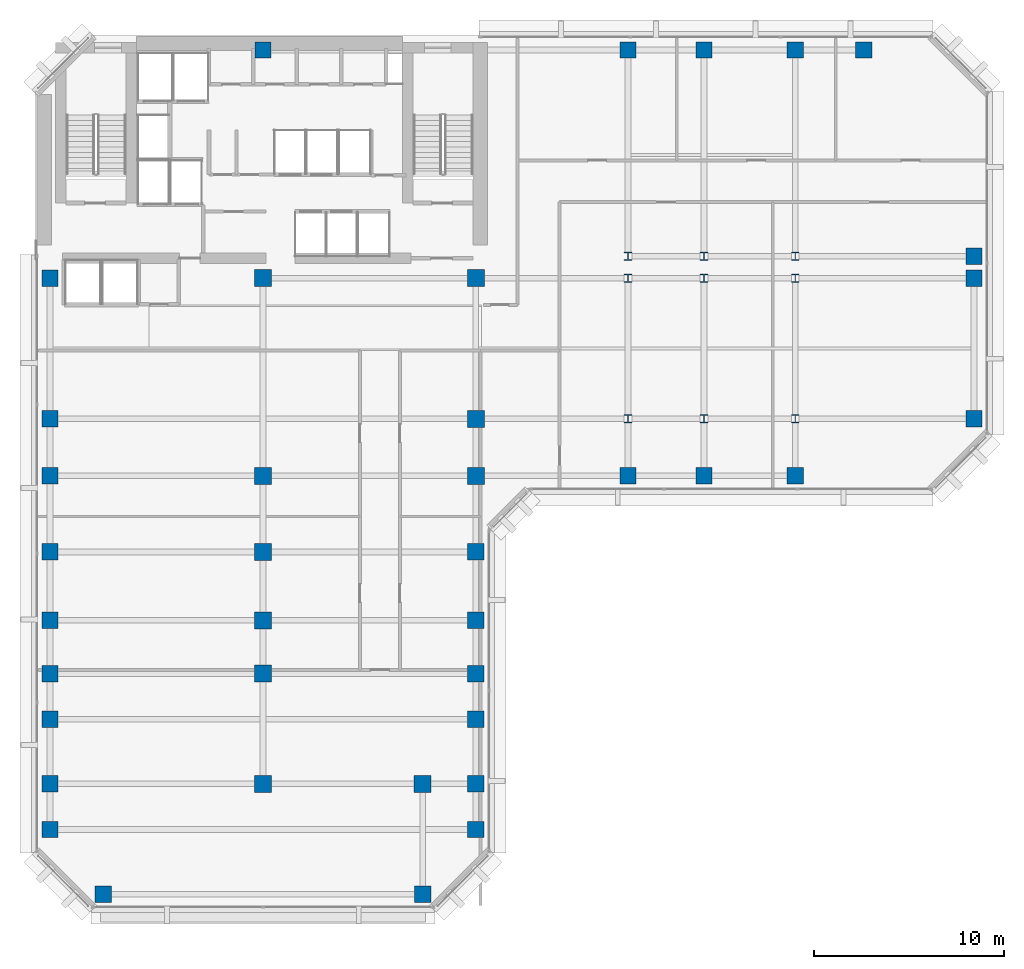
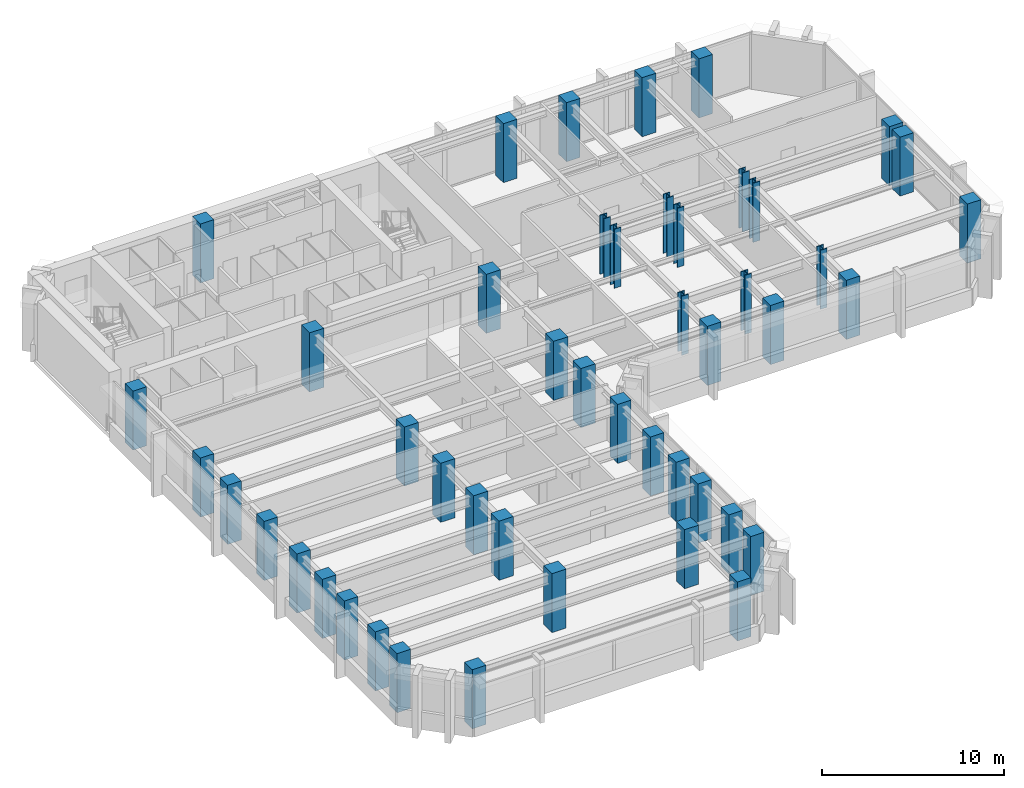
# One storey, part 1 of 11: 47 columns.
"""IFC4 building model written with IfcOpenShell, lengths in metres."""

import ifcopenshell
import ifcopenshell.guid

model = None  # the IFC model being written
_history = None  # IfcOwnerHistory: only IFC2X3 demands one
_inside = {}  # id of a spatial element -> (the spatial element, [elements in it])
_under = {}  # id of a project, library or spatial element -> (it, [spatial elements below it])
_declared = {}  # id of a project -> (the project, [libraries it declares])
_typed = {}  # id of a type object -> (the type object, [elements of that type])
_made_of = {}  # id of a material, layer set ... -> (it, [elements and type objects made of it])


def new_model(schema):
    """Start an empty IFC model of exactly this schema.

    Asked for "IFC4X3", IfcOpenShell would pick the latest addendum, in which some entities
    have other attributes; the version numbers below select the first issue.
    IFC2X3 requires an IfcOwnerHistory on every rooted entity: one is made here for all.
    """
    global model, _history
    if schema == "IFC4X3":
        model = ifcopenshell.file(schema_version=(4, 3, 0, 0))
    else:
        model = ifcopenshell.file(schema=schema)
    _inside.clear()
    _under.clear()
    _declared.clear()
    _typed.clear()
    _made_of.clear()
    _history = None
    if model.schema == "IFC2X3":
        org = make("IfcOrganization", Name="unknown")
        user = make(
            "IfcPersonAndOrganization",
            ThePerson=make("IfcPerson", FamilyName="unknown"),
            TheOrganization=org,
        )
        app = make(
            "IfcApplication",
            ApplicationDeveloper=org,
            Version="unknown",
            ApplicationFullName="unknown",
            ApplicationIdentifier="unknown",
        )
        _history = make(
            "IfcOwnerHistory",
            OwningUser=user,
            OwningApplication=app,
            ChangeAction="ADDED",
            CreationDate=0,
        )
    return model


def make(cls, **values):
    """One entity of the class cls with the attributes given. An attribute that is None is left unset."""
    return model.create_entity(
        cls, **{name: value for name, value in values.items() if value is not None}
    )


def rooted(cls, **values):
    """An entity with a GlobalId (a new one), such as an element, a storey or a relation."""
    return make(cls, GlobalId=ifcopenshell.guid.new(), OwnerHistory=_history, **values)


def si_unit(unit_type, name, prefix=None):
    """IfcSIUnit, for example si_unit("LENGTHUNIT", "METRE", prefix="MILLI")."""
    return make("IfcSIUnit", UnitType=unit_type, Prefix=prefix, Name=name)


def assignment(units):
    """IfcUnitAssignment: the units of a project."""
    return None if units is None else make("IfcUnitAssignment", Units=units)


def point(xyz):
    """IfcCartesianPoint."""
    return None if xyz is None else make("IfcCartesianPoint", Coordinates=xyz)


def direction(xyz):
    """IfcDirection."""
    return None if xyz is None else make("IfcDirection", DirectionRatios=xyz)


def frame(location, z_axis=None, x_axis=None):
    """IfcAxis2Placement3D, a coordinate frame: its origin and axes. An axis left out is left unset."""
    return make(
        "IfcAxis2Placement3D",
        Location=point(location),
        Axis=direction(z_axis),
        RefDirection=direction(x_axis),
    )


def frame_2d(location, x_axis=None):
    """IfcAxis2Placement2D, a coordinate frame in the plane: its origin and x axis."""
    return make(
        "IfcAxis2Placement2D", Location=point(location), RefDirection=direction(x_axis)
    )


def origin():
    """The frame at (0, 0, 0) with its axes left unset."""
    return frame((0.0, 0.0, 0.0))


def origin_2d():
    """The frame at (0, 0) in the plane with its x axis left unset."""
    return frame_2d((0.0, 0.0))


def place(relative_to, where):
    """IfcLocalPlacement: puts the frame where relative to a parent placement (None: the world)."""
    return make(
        "IfcLocalPlacement", PlacementRelTo=relative_to, RelativePlacement=where
    )


def context(
    kind, dimensions, precision=None, world=None, true_north=None, identifier=None
):
    """IfcGeometricRepresentationContext, for example the 3D "Model" context."""
    return make(
        "IfcGeometricRepresentationContext",
        ContextIdentifier=identifier,
        ContextType=kind,
        CoordinateSpaceDimension=dimensions,
        Precision=precision,
        WorldCoordinateSystem=world,
        TrueNorth=true_north,
    )


def subcontext(parent, identifier, kind, view, scale=None):
    """IfcGeometricRepresentationSubContext, for example "Body" below "Model"."""
    return make(
        "IfcGeometricRepresentationSubContext",
        ContextIdentifier=identifier,
        ContextType=kind,
        ParentContext=parent,
        TargetScale=scale,
        TargetView=view,
    )


def project(units=None, contexts=None):
    """IfcProject with its units and contexts."""
    return rooted(
        "IfcProject",
        Name="project",
        RepresentationContexts=contexts,
        UnitsInContext=assignment(units),
    )


def spatial(cls, under=None, at=None, **own):
    """A site, building, storey or space (cls), placed at a placement, below another one or the project."""
    s = rooted(cls, ObjectPlacement=at, **own)
    if under is not None:
        _under.setdefault(under.id(), (under, []))[1].append(s)
    return s


def profile(cls, at=None, kind="AREA", **sizes):
    """A parametric profile (cls). Its sizes go by their IFC names, for example OverallWidth=200.0."""
    return make(cls, ProfileType=kind, Position=at, **sizes)


def rectangle(**sizes):
    """IfcRectangleProfileDef."""
    return profile("IfcRectangleProfileDef", **sizes)


def i_section(**sizes):
    """IfcIShapeProfileDef."""
    return profile("IfcIShapeProfileDef", **sizes)


def extrude(swept, where, along, depth):
    """IfcExtrudedAreaSolid: the profile swept, set in the frame where, extruded along a direction by depth."""
    return make(
        "IfcExtrudedAreaSolid",
        SweptArea=swept,
        Position=where,
        ExtrudedDirection=direction(along),
        Depth=depth,
    )


def shape(context_of_items, identifier, shape_type, items):
    """IfcShapeRepresentation: the items that make up one representation, for example the "Body"."""
    return make(
        "IfcShapeRepresentation",
        ContextOfItems=context_of_items,
        RepresentationIdentifier=identifier,
        RepresentationType=shape_type,
        Items=items,
    )


def material(Name=None, Category=None):
    """IfcMaterial."""
    return make("IfcMaterial", Name=Name, Category=Category)


def material_profile(
    of_material, cross_section, Name=None, Category=None, Priority=None
):
    """IfcMaterialProfile: a cross section and its material."""
    return make(
        "IfcMaterialProfile",
        Name=Name,
        Material=of_material,
        Profile=cross_section,
        Priority=Priority,
        Category=Category,
    )


def profile_set(profiles, Name=None, composite=None):
    """IfcMaterialProfileSet."""
    return make(
        "IfcMaterialProfileSet",
        Name=Name,
        MaterialProfiles=profiles,
        CompositeProfile=composite,
    )


def made_of(thing, what):
    """Note that an element or type object is made of a material, layer set ...; save() writes the relation."""
    if what is not None:
        _made_of.setdefault(what.id(), (what, []))[1].append(thing)
    return thing


def type_object(cls, material=None, **own):
    """A type object (cls), such as IfcWallType, which elements share."""
    return made_of(rooted(cls, **own), material)


def element(
    cls,
    number,
    at=None,
    inside=None,
    cuts=None,
    type_object=None,
    material=None,
    context=None,
    identifier="Body",
    shape_type=None,
    held_by="IfcProductDefinitionShape",
    body=None,
    shapes=None,
    **own,
):
    """One element of the class cls, such as IfcWall. Its Tag is "e" and its number.

    at: its placement. inside: the storey or other place that contains it. cuts: it is an
    opening in that element (IfcRelVoidsElement). A single representation is given by context,
    identifier, shape_type and body (its items); several are given by shapes. held_by: the class
    of the entity that holds the representations. save() writes the other relations.
    """
    e = rooted(cls, Tag="e%d" % number, ObjectPlacement=at, **own)
    if body is not None:
        shapes = [shape(context, identifier, shape_type, body)]
    if shapes is not None:
        e.Representation = make(held_by, Representations=shapes)
    if inside is not None:
        _inside.setdefault(inside.id(), (inside, []))[1].append(e)
    if cuts is not None:
        rooted(
            "IfcRelVoidsElement", RelatingBuildingElement=cuts, RelatedOpeningElement=e
        )
    if type_object is not None:
        _typed.setdefault(type_object.id(), (type_object, []))[1].append(e)
    return made_of(e, material)


def aggregate(whole, parts):
    """IfcRelAggregates: a whole, such as a stair, and the parts it consists of."""
    return rooted("IfcRelAggregates", RelatingObject=whole, RelatedObjects=parts)


def save(model, path):
    """Write the relations noted so far, then the file.

    IfcRelAggregates (storeys below a building ...), IfcRelContainedInSpatialStructure (elements
    in a storey), IfcRelDefinesByType, IfcRelAssociatesMaterial and IfcRelDeclares: one each for
    every whole, place, type object, material and project.
    """
    for whole, parts in _under.values():
        aggregate(whole, parts)
    for where, things in _inside.values():
        rooted(
            "IfcRelContainedInSpatialStructure",
            RelatedElements=things,
            RelatingStructure=where,
        )
    for kind, things in _typed.values():
        rooted("IfcRelDefinesByType", RelatedObjects=things, RelatingType=kind)
    for what, things in _made_of.values():
        rooted("IfcRelAssociatesMaterial", RelatedObjects=things, RelatingMaterial=what)
    for by, libraries in _declared.values():
        rooted("IfcRelDeclares", RelatingContext=by, RelatedDefinitions=libraries)
    model.write(path)


model = new_model("IFC4")

# Units and contexts
model_context = context("Model", 3, precision=1e-05, world=origin(), true_north=direction((0.0, 1.0)))
body_context = subcontext(model_context, "Body", "Model", "MODEL_VIEW")
ifc_project = project(units=[si_unit("LENGTHUNIT", "METRE"), si_unit("AREAUNIT", "SQUARE_METRE"), si_unit("VOLUMEUNIT", "CUBIC_METRE"), si_unit("PLANEANGLEUNIT", "RADIAN"), si_unit("MASSUNIT", "GRAM", prefix="KILO")], contexts=[model_context])

# Site, building, storey
site_placement = place(None, origin())
site = spatial("IfcSite", under=ifc_project, at=site_placement, CompositionType="ELEMENT")
building_placement = place(site_placement, origin())
building = spatial("IfcBuilding", under=site, at=building_placement, Name="Kefirva Bronze Tower", CompositionType="ELEMENT")
storey_placement = place(building_placement, frame((0.0, 0.0, 179.52001953125)))
storey = spatial("IfcBuildingStorey", under=building, at=storey_placement, Name="L43", CompositionType="ELEMENT", Elevation=179.52001953125)

# Columns
ifc_material_1 = material(Name="Concrete C60/75", Category="concrete")
ifc_material_profile_1 = material_profile(ifc_material_1, rectangle(XDim=0.860107421875, YDim=0.860107421875, at=origin_2d()), Name="RC 860x860")
ifc_profile_set_1 = profile_set([ifc_material_profile_1], Name="Concrete C60/75")
column_type_1 = type_object("IfcColumnType", Name="RC Column 860x860 Ext", PredefinedType="COLUMN", material=ifc_profile_set_1)
for number, where, z_axis, x_axis, name in (
    (1, (0.800048828125, 4.199951171875, 0.0), (0.0, 0.0, 1.0), (1.0, 0.0, 0.0), "L43 Column C008_042"),
    (2, (0.800048828125, 6.60009765625, 0.0), (0.0, 0.0, 1.0), (1.0, 0.0, 0.0), "L43 Column C008_066"),
    (3, (0.800048828125, 10.0, 0.0), (0.0, 0.0, 1.0), (1.0, 0.0, 0.0), "L43 Column C008_100"),
    (4, (0.800048828125, 12.39990234375, 0.0), (0.0, 0.0, 1.0), (1.0, 0.0, 0.0), "L43 Column C008_124"),
    (5, (0.800048828125, 15.199951171875, 0.0), (0.0, 0.0, 1.0), (1.0, 0.0, 0.0), "L43 Column C008_152"),
    (6, (0.800048828125, 18.800048828125, 0.0), (0.0, 0.0, 1.0), (1.0, 0.0, 0.0), "L43 Column C008_188"),
    (7, (0.800048828125, 22.800048828125, 0.0), (0.0, 0.0, 1.0), (1.0, 0.0, 0.0), "L43 Column C008_228"),
    (8, (0.800048828125, 25.800048828125, 0.0), (0.0, 0.0, 1.0), (1.0, 0.0, 0.0), "L43 Column C008_258"),
    (9, (0.800048828125, 33.199951171875, 0.0), (0.0, 0.0, 1.0), (1.0, 0.0, 0.0), "L43 Column C008_332"),
    (10, (3.60009765625, 0.800048828125, 0.0), (0.0, 0.0, 1.0), (1.0, 0.0, 0.0), "L43 Column C036_008"),
    (11, (12.0, 45.199951171875, 0.0), (0.0, 0.0, 1.0), (1.0, 0.0, 0.0), "L43 Column C120_452"),
    (12, (20.39990234375, 0.800048828125, 0.0), (0.0, 0.0, 1.0), (1.0, 0.0, 0.0), "L43 Column C204_008"),
    (13, (23.199951171875, 4.199951171875, 0.0), (0.0, 0.0, 1.0), (1.0, 0.0, 0.0), "L43 Column C232_042"),
    (14, (23.199951171875, 6.60009765625, 0.0), (0.0, 0.0, 1.0), (1.0, 0.0, 0.0), "L43 Column C232_066"),
    (15, (23.199951171875, 10.0, 0.0), (0.0, 0.0, 1.0), (1.0, 0.0, 0.0), "L43 Column C232_100"),
    (16, (23.199951171875, 12.39990234375, 0.0), (0.0, 0.0, 1.0), (1.0, 0.0, 0.0), "L43 Column C232_124"),
    (17, (23.199951171875, 15.199951171875, 0.0), (0.0, 0.0, 1.0), (1.0, 0.0, 0.0), "L43 Column C232_152"),
    (18, (23.199951171875, 18.800048828125, 0.0), (0.0, 0.0, 1.0), (1.0, 0.0, 0.0), "L43 Column C232_188"),
    (19, (31.199951171875, 22.800048828125, 0.0), (0.0, 0.0, 1.0), (1.0, 0.0, 0.0), "L43 Column C312_228"),
    (20, (31.199951171875, 45.199951171875, 0.0), (0.0, 0.0, 1.0), (1.0, 0.0, 0.0), "L43 Column C312_452"),
    (21, (35.199951171875, 22.800048828125, 0.0), (0.0, 0.0, 1.0), (1.0, 0.0, 0.0), "L43 Column C352_228"),
    (22, (35.199951171875, 45.199951171875, 0.0), (0.0, 0.0, 1.0), (1.0, 0.0, 0.0), "L43 Column C352_452"),
    (23, (40.0, 22.800048828125, 0.0), (0.0, 0.0, 1.0), (1.0, 0.0, 0.0), "L43 Column C400_228"),
    (24, (40.0, 45.199951171875, 0.0), (0.0, 0.0, 1.0), (1.0, 0.0, 0.0), "L43 Column C400_452"),
    (25, (43.60009765625, 45.199951171875, 0.0), (0.0, 0.0, 1.0), (1.0, 0.0, 0.0), "L43 Column C436_452"),
    (26, (49.39990234375, 25.800048828125, 0.0), (0.0, 0.0, 1.0), (1.0, 0.0, 0.0), "L43 Column C494_258"),
    (27, (49.39990234375, 33.199951171875, 0.0), (0.0, 0.0, 1.0), (1.0, 0.0, 0.0), "L43 Column C494_332"),
    (28, (49.39990234375, 34.35009765625, 0.0), (0.0, 0.0, 1.0), (1.0, 0.0, 0.0), "L43 Column C494_344"),
):
    element("IfcColumn", number, at=place(storey_placement, frame(where, z_axis=z_axis, x_axis=x_axis)), inside=storey, type_object=column_type_1, Name=name, PredefinedType="COLUMN", context=body_context, shape_type="SweptSolid", body=[
        extrude(rectangle(XDim=0.860107421875, YDim=0.860107421875, at=origin_2d()), origin(), (0.0, 0.0, 1.0), 3.9599609375),
    ])
ifc_material_profile_2 = material_profile(ifc_material_1, rectangle(XDim=0.89990234375, YDim=0.89990234375, at=origin_2d()), Name="RC 900x900")
ifc_profile_set_2 = profile_set([ifc_material_profile_2], Name="Concrete C60/75")
column_type_2 = type_object("IfcColumnType", Name="RC Column 900x900 Int", PredefinedType="COLUMN", material=ifc_profile_set_2)
for number, where, z_axis, x_axis, name in (
    (29, (12.0, 6.60009765625, 0.0), (0.0, 0.0, 1.0), (1.0, 0.0, 0.0), "L43 Column C120_066"),
    (30, (12.0, 12.39990234375, 0.0), (0.0, 0.0, 1.0), (1.0, 0.0, 0.0), "L43 Column C120_124"),
    (31, (12.0, 15.199951171875, 0.0), (0.0, 0.0, 1.0), (1.0, 0.0, 0.0), "L43 Column C120_152"),
    (32, (12.0, 18.800048828125, 0.0), (0.0, 0.0, 1.0), (1.0, 0.0, 0.0), "L43 Column C120_188"),
    (33, (12.0, 22.800048828125, 0.0), (0.0, 0.0, 1.0), (1.0, 0.0, 0.0), "L43 Column C120_228"),
    (34, (12.0, 33.199951171875, 0.0), (0.0, 0.0, 1.0), (1.0, 0.0, 0.0), "L43 Column C120_332"),
    (35, (20.39990234375, 6.60009765625, 0.0), (0.0, 0.0, 1.0), (1.0, 0.0, 0.0), "L43 Column C204_066"),
    (36, (23.199951171875, 22.800048828125, 0.0), (0.0, 0.0, 1.0), (1.0, 0.0, 0.0), "L43 Column C232_228"),
    (37, (23.199951171875, 25.800048828125, 0.0), (0.0, 0.0, 1.0), (1.0, 0.0, 0.0), "L43 Column C232_258"),
    (38, (23.199951171875, 33.199951171875, 0.0), (0.0, 0.0, 1.0), (1.0, 0.0, 0.0), "L43 Column C232_332"),
):
    element("IfcColumn", number, at=place(storey_placement, frame(where, z_axis=z_axis, x_axis=x_axis)), inside=storey, type_object=column_type_2, Name=name, PredefinedType="COLUMN", context=body_context, shape_type="SweptSolid", body=[
        extrude(rectangle(XDim=0.89990234375, YDim=0.89990234375, at=origin_2d()), origin(), (0.0, 0.0, 1.0), 3.9599609375),
    ])
ifc_material_2 = material(Name="Steel S460", Category="steel")
ifc_material_profile_3 = material_profile(ifc_material_2, i_section(OverallWidth=0.41796875, OverallDepth=0.455078125, WebThickness=0.031982421875, FlangeThickness=0.051025390625, at=origin_2d()), Name="HD 400x551")
ifc_profile_set_3 = profile_set([ifc_material_profile_3], Name="Steel S460")
column_type_3 = type_object("IfcColumnType", Name="Steel Column HD 400x551", PredefinedType="COLUMN", material=ifc_profile_set_3)
for number, where, z_axis, x_axis, name in (
    (39, (31.199951171875, 25.800048828125, 0.0), (0.0, 0.0, 1.0), (1.0, 0.0, 0.0), "L43 Column C312_258"),
    (40, (31.199951171875, 33.199951171875, 0.0), (0.0, 0.0, 1.0), (1.0, 0.0, 0.0), "L43 Column C312_332"),
    (41, (31.199951171875, 34.35009765625, 0.0), (0.0, 0.0, 1.0), (1.0, 0.0, 0.0), "L43 Column C312_344"),
    (42, (35.199951171875, 25.800048828125, 0.0), (0.0, 0.0, 1.0), (1.0, 0.0, 0.0), "L43 Column C352_258"),
    (43, (35.199951171875, 33.199951171875, 0.0), (0.0, 0.0, 1.0), (1.0, 0.0, 0.0), "L43 Column C352_332"),
    (44, (35.199951171875, 34.35009765625, 0.0), (0.0, 0.0, 1.0), (1.0, 0.0, 0.0), "L43 Column C352_344"),
    (45, (40.0, 25.800048828125, 0.0), (0.0, 0.0, 1.0), (1.0, 0.0, 0.0), "L43 Column C400_258"),
    (46, (40.0, 33.199951171875, 0.0), (0.0, 0.0, 1.0), (1.0, 0.0, 0.0), "L43 Column C400_332"),
    (47, (40.0, 34.35009765625, 0.0), (0.0, 0.0, 1.0), (1.0, 0.0, 0.0), "L43 Column C400_344"),
):
    element("IfcColumn", number, at=place(storey_placement, frame(where, z_axis=z_axis, x_axis=x_axis)), inside=storey, type_object=column_type_3, Name=name, PredefinedType="COLUMN", context=body_context, shape_type="SweptSolid", body=[
        extrude(i_section(OverallWidth=0.41796875, OverallDepth=0.455078125, WebThickness=0.031982421875, FlangeThickness=0.051025390625, at=origin_2d()), origin(), (0.0, 0.0, 1.0), 3.9599609375),
    ])

save(model, "model.ifc")
